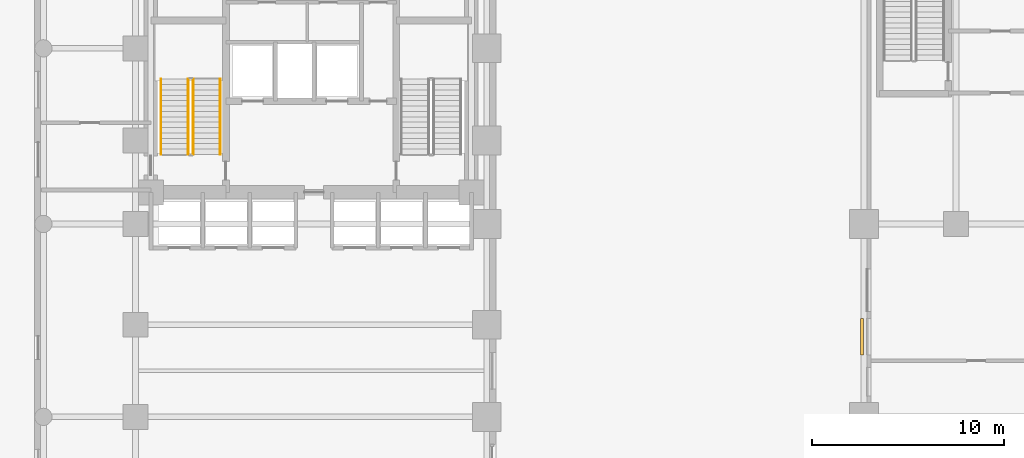
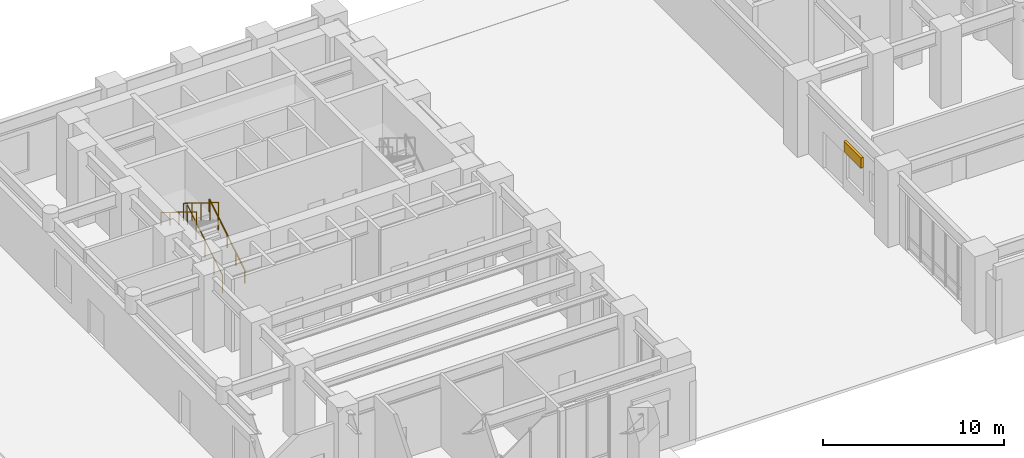
# One storey, part 13 of 16: 4 railings, 1 shading device.
"""IFC4 building model written with IfcOpenShell, lengths in metres."""

from ifc_helpers import new_model, si_unit, direction, frame, origin, origin_2d, place, context, subcontext, project, spatial, rectangle, extrude, material, type_object, element, save


model = new_model("IFC4")

# Units and contexts
model_context = context("Model", 3, precision=1e-05, world=origin(), true_north=direction((0.0, 1.0)))
body_context = subcontext(model_context, "Body", "Model", "MODEL_VIEW")
ifc_project = project(units=[si_unit("LENGTHUNIT", "METRE"), si_unit("AREAUNIT", "SQUARE_METRE"), si_unit("VOLUMEUNIT", "CUBIC_METRE"), si_unit("PLANEANGLEUNIT", "RADIAN"), si_unit("MASSUNIT", "GRAM", prefix="KILO")], contexts=[model_context])

# Site, building, storey
site_placement = place(None, origin())
site = spatial("IfcSite", under=ifc_project, at=site_placement, CompositionType="ELEMENT")
building_placement = place(site_placement, origin())
building = spatial("IfcBuilding", under=site, at=building_placement, Name="Orvandelia Arch Residences", CompositionType="ELEMENT")
storey_placement = place(building_placement, origin())
storey = spatial("IfcBuildingStorey", under=building, at=storey_placement, Name="L00", CompositionType="ELEMENT", Elevation=0.0)

# Railings
ifc_material_1 = material(Name="Brushed Stainless Steel 304", Category="steel")
railing_type_1 = type_object("IfcRailingType", Name="RL-STAIR-GD1120", PredefinedType="GUARDRAIL", material=ifc_material_1)
railing_1_placement = place(storey_placement, frame((8.25, 32.8701171875, 0.17333984375)))
element("IfcRailing", 1, at=railing_1_placement, inside=storey, type_object=railing_type_1, Name="L00 ST-1 stair guard 1", PredefinedType="GUARDRAIL", context=body_context, shape_type="SweptSolid", body=[
    extrude(rectangle(XDim=0.048095703125, YDim=0.048095703125, at=origin_2d()), frame((0.0, 0.0, 1.17578125), z_axis=(0.0, 0.850251603719, 0.526376491091), x_axis=(-1.0, 0.0, 0.0)), (0.0, 0.0, 1.0), 4.6103515625),
    extrude(rectangle(XDim=0.0419921875, YDim=0.0419921875, at=origin_2d()), origin(), (0.0, 0.0, 1.0), 1.15185546875),
    extrude(rectangle(XDim=0.0419921875, YDim=0.0419921875, at=origin_2d()), frame((0.0, 0.97998046875, 0.606689453125)), (0.0, 0.0, 1.0), 1.15185546875),
    extrude(rectangle(XDim=0.0419921875, YDim=0.0419921875, at=origin_2d()), frame((0.0, 1.9599609375, 1.21337890625)), (0.0, 0.0, 1.0), 1.15185546875),
    extrude(rectangle(XDim=0.0419921875, YDim=0.0419921875, at=origin_2d()), frame((0.0, 2.93994140625, 1.820068359375)), (0.0, 0.0, 1.0), 1.15185546875),
    extrude(rectangle(XDim=0.0419921875, YDim=0.0419921875, at=origin_2d()), frame((0.0, 3.919921875, 2.4267578125)), (0.0, 0.0, 1.0), 1.15185546875),
])
railing_2_placement = place(storey_placement, frame((8.0, 36.7900390625, 2.7734375)))
element("IfcRailing", 2, at=railing_2_placement, inside=storey, type_object=railing_type_1, Name="L00 ST-1 stair guard 3", PredefinedType="GUARDRAIL", context=body_context, shape_type="SweptSolid", body=[
    extrude(rectangle(XDim=0.048095703125, YDim=0.048095703125, at=origin_2d()), frame((0.0, 0.0, 1.17578125), z_axis=(0.0, -0.850275303828, 0.526338206574), x_axis=(1.0, 0.0, 0.0)), (0.0, 0.0, 1.0), 4.610107421875),
    extrude(rectangle(XDim=0.0419921875, YDim=0.0419921875, at=origin_2d()), origin(), (0.0, 0.0, 1.0), 1.15185546875),
    extrude(rectangle(XDim=0.0419921875, YDim=0.0419921875, at=origin_2d()), frame((0.0, -0.97998046875, 0.606689453125)), (0.0, 0.0, 1.0), 1.15185546875),
    extrude(rectangle(XDim=0.0419921875, YDim=0.0419921875, at=origin_2d()), frame((0.0, -1.9599609375, 1.21337890625)), (0.0, 0.0, 1.0), 1.15185546875),
    extrude(rectangle(XDim=0.0419921875, YDim=0.0419921875, at=origin_2d()), frame((0.0, -2.93994140625, 1.81982421875)), (0.0, 0.0, 1.0), 1.15185546875),
    extrude(rectangle(XDim=0.0419921875, YDim=0.0419921875, at=origin_2d()), frame((0.0, -3.919921875, 2.426513671875)), (0.0, 0.0, 1.0), 1.15185546875),
])
railing_type_2 = type_object("IfcRailingType", Name="RL-STAIR-HR920", PredefinedType="HANDRAIL", material=ifc_material_1)
railing_3_placement = place(storey_placement, frame((9.669921875, 32.8701171875, 0.3466796875)))
element("IfcRailing", 3, at=railing_3_placement, inside=storey, type_object=railing_type_2, Name="L00 ST-1 stair handrail 1", PredefinedType="HANDRAIL", context=body_context, shape_type="SweptSolid", body=[
    extrude(rectangle(XDim=0.048095703125, YDim=0.048095703125, at=origin_2d()), frame((0.0, 0.0, 0.8759765625), z_axis=(0.0, 0.850251603719, 0.526376491091), x_axis=(-1.0, 0.0, 0.0)), (0.0, 0.0, 1.0), 4.6103515625),
    extrude(rectangle(XDim=0.0419921875, YDim=0.0419921875, at=origin_2d()), origin(), (0.0, 0.0, 1.0), 0.851806640625),
    extrude(rectangle(XDim=0.0419921875, YDim=0.0419921875, at=origin_2d()), frame((0.0, 0.97998046875, 0.606689453125)), (0.0, 0.0, 1.0), 0.851806640625),
    extrude(rectangle(XDim=0.0419921875, YDim=0.0419921875, at=origin_2d()), frame((0.0, 1.9599609375, 1.21337890625)), (0.0, 0.0, 1.0), 0.851806640625),
    extrude(rectangle(XDim=0.0419921875, YDim=0.0419921875, at=origin_2d()), frame((0.0, 2.93994140625, 1.820068359375)), (0.0, 0.0, 1.0), 0.851806640625),
    extrude(rectangle(XDim=0.0419921875, YDim=0.0419921875, at=origin_2d()), frame((0.0, 3.919921875, 2.4267578125)), (0.0, 0.0, 1.0), 0.851806640625),
])
railing_4_placement = place(storey_placement, frame((6.580078125, 36.7900390625, 2.94677734375)))
element("IfcRailing", 4, at=railing_4_placement, inside=storey, type_object=railing_type_2, Name="L00 ST-1 stair handrail 2", PredefinedType="HANDRAIL", context=body_context, shape_type="SweptSolid", body=[
    extrude(rectangle(XDim=0.048095703125, YDim=0.048095703125, at=origin_2d()), frame((0.0, 0.0, 0.8759765625), z_axis=(0.0, -0.850275303828, 0.526338206574), x_axis=(1.0, 0.0, 0.0)), (0.0, 0.0, 1.0), 4.610107421875),
    extrude(rectangle(XDim=0.0419921875, YDim=0.0419921875, at=origin_2d()), origin(), (0.0, 0.0, 1.0), 0.851806640625),
    extrude(rectangle(XDim=0.0419921875, YDim=0.0419921875, at=origin_2d()), frame((0.0, -0.97998046875, 0.606689453125)), (0.0, 0.0, 1.0), 0.851806640625),
    extrude(rectangle(XDim=0.0419921875, YDim=0.0419921875, at=origin_2d()), frame((0.0, -1.9599609375, 1.21337890625)), (0.0, 0.0, 1.0), 0.851806640625),
    extrude(rectangle(XDim=0.0419921875, YDim=0.0419921875, at=origin_2d()), frame((0.0, -2.93994140625, 1.81982421875)), (0.0, 0.0, 1.0), 0.851806640625),
    extrude(rectangle(XDim=0.0419921875, YDim=0.0419921875, at=origin_2d()), frame((0.0, -3.919921875, 2.426513671875)), (0.0, 0.0, 1.0), 0.851806640625),
])

# Shading device
ifc_material_2 = material(Name="Anodised Champagne-Bronze Extruded Aluminium", Category="aluminium")
shading_device_type = type_object("IfcShadingDeviceType", Name="SHD-JALOUSIE-SCREEN", PredefinedType="JALOUSIE", material=ifc_material_2)
shading_device_placement = place(storey_placement, frame((43.094970703125, 23.385009765625, 2.75), z_axis=(0.0, 0.0, 1.0), x_axis=(0.0, 1.0, 0.0)))
element("IfcShadingDevice", 5, at=shading_device_placement, inside=storey, type_object=shading_device_type, Name="Bronze Jalousie Sun-Shade L00-005", PredefinedType="JALOUSIE", context=body_context, shape_type="SweptSolid", body=[
    extrude(rectangle(XDim=1.89990234375, YDim=0.159912109375, at=origin_2d()), origin(), (0.0, 0.0, 1.0), 0.699951171875),
])

save(model, "model.ifc")
